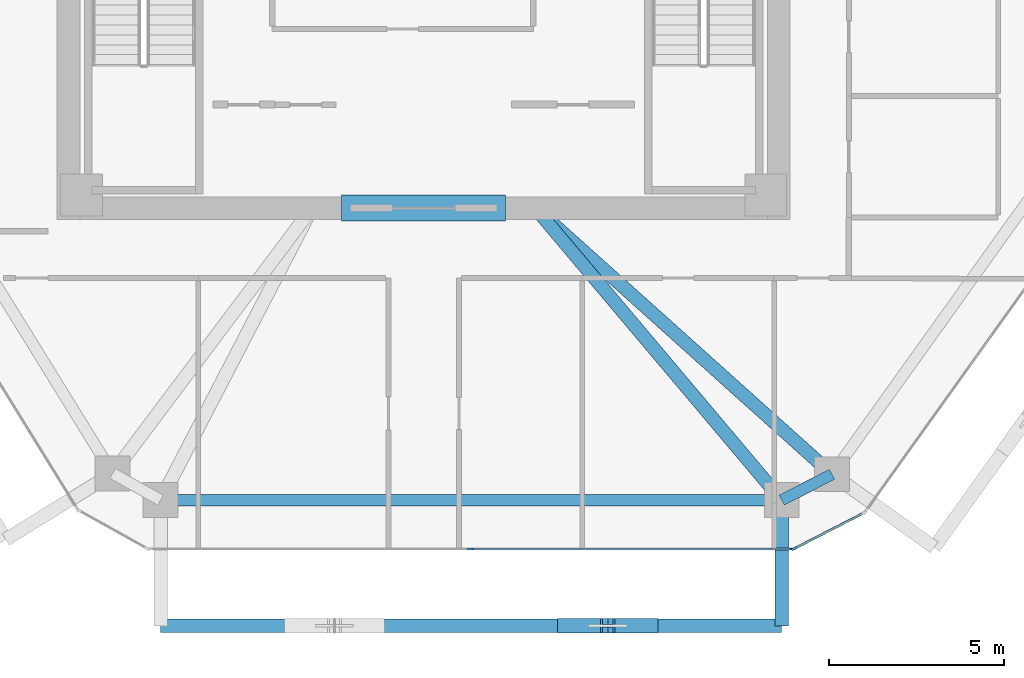
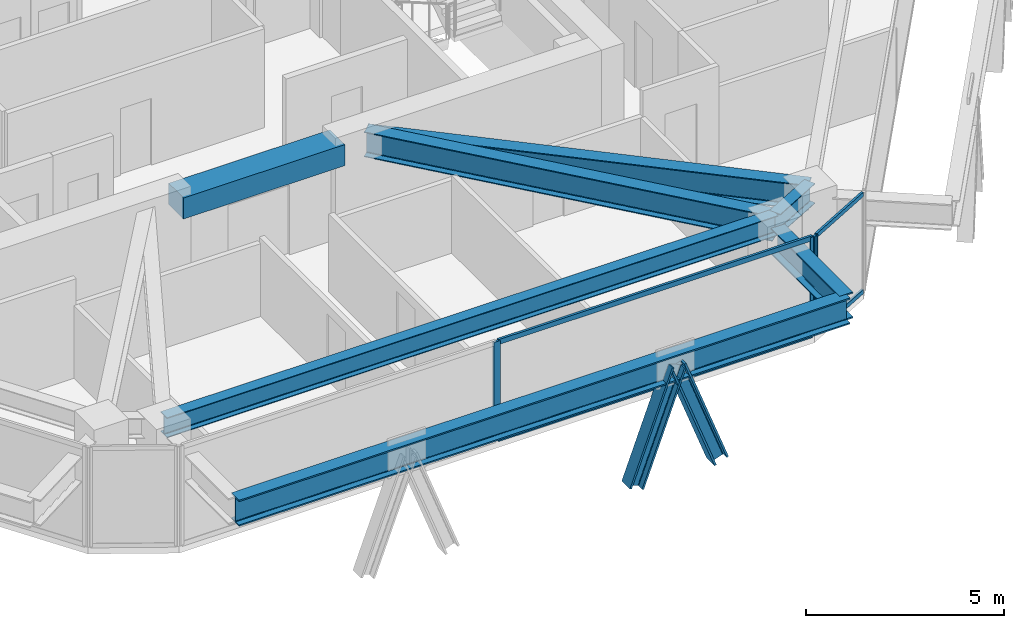
# One storey, part 3 of 14: 9 members, 7 beams, 2 elements without a shape of their own.
"""IFC4 building model written with IfcOpenShell, lengths in metres."""

from ifc_helpers import new_model, si_unit, direction, frame, origin, origin_2d, place, context, subcontext, project, spatial, rectangle, i_section, extrude, source, transform, mapped, material, layer, layer_set, material_profile, profile_set, type_object, type_shapes, element, aggregate, save


model = new_model("IFC4")

# Units and contexts
model_context = context("Model", 3, precision=1e-05, world=origin(), true_north=direction((0.0, 1.0)))
body_context = subcontext(model_context, "Body", "Model", "MODEL_VIEW")
ifc_project = project(units=[si_unit("LENGTHUNIT", "METRE"), si_unit("AREAUNIT", "SQUARE_METRE"), si_unit("VOLUMEUNIT", "CUBIC_METRE"), si_unit("PLANEANGLEUNIT", "RADIAN"), si_unit("MASSUNIT", "GRAM", prefix="KILO")], contexts=[model_context])

# Site, building, storey
site_placement = place(None, origin())
site = spatial("IfcSite", under=ifc_project, at=site_placement, CompositionType="ELEMENT")
building_placement = place(site_placement, origin())
building = spatial("IfcBuilding", under=site, at=building_placement, Name="Durnholm Broadcast Tower", CompositionType="ELEMENT")
storey_placement = place(building_placement, frame((0.0, 0.0, 180.39990234375)))
storey = spatial("IfcBuildingStorey", under=building, at=storey_placement, Name="L49", CompositionType="ELEMENT", Elevation=180.39990234375)

# Beams
ifc_material_1 = material(Name="Concrete C70/85", Category="concrete")
ifc_material_profile_1 = material_profile(ifc_material_1, rectangle(XDim=0.75, YDim=0.64990234375, at=origin_2d()), Name="RC750X650")
ifc_profile_set_1 = profile_set([ifc_material_profile_1], Name="Concrete C70/85")
beam_type_1 = type_object("IfcBeamType", Name="BM-CB-RC650", PredefinedType="LINTEL", material=ifc_profile_set_1)
shared_shape_1 = source(origin(), body_context, "Body", "SweptSolid", [
    extrude(rectangle(XDim=0.75, YDim=0.64990234375, at=origin_2d()), origin(), (0.0, 0.0, 1.0), 4.7001953125),
])
type_shapes(beam_type_1, [shared_shape_1])
beam_1_placement = place(storey_placement, frame((-2.35009765625, -8.175048828125, 2.72998046875), z_axis=(1.0, 0.0, 0.0), x_axis=(0.0, 1.0, 0.0)))
element("IfcBeam", 1, at=beam_1_placement, inside=storey, type_object=beam_type_1, Name="L49 south core coupling lintel beam CB-S", PredefinedType="LINTEL", context=body_context, shape_type="MappedRepresentation", body=[
    mapped(shared_shape_1, transform((0.0, 0.0, 0.0), x_axis=(1.0, 0.0, 0.0), y_axis=(0.0, 1.0, 0.0), z_axis=(0.0, 0.0, 1.0), scale=1.0)),
])
ifc_material_2 = material(Name="Steel ASTM A992 Grade 50", Category="steel")
ifc_material_profile_2 = material_profile(ifc_material_2, i_section(OverallWidth=0.385009765625, OverallDepth=0.802978515625, WebThickness=0.023681640625, FlangeThickness=0.0419921875, FilletRadius=0.032958984375, at=origin_2d()), Name="W30X261")
ifc_profile_set_2 = profile_set([ifc_material_profile_2], Name="Steel ASTM A992 Grade 50")
beam_type_2 = type_object("IfcBeamType", Name="BM-EXO-TIE", PredefinedType="USERDEFINED", material=ifc_profile_set_2)
shared_shape_2 = source(origin(), body_context, "Body", "SweptSolid", [
    extrude(i_section(OverallWidth=0.385009765625, OverallDepth=0.802978515625, WebThickness=0.023681640625, FlangeThickness=0.0419921875, FilletRadius=0.032958984375, at=origin_2d()), origin(), (0.0, 0.0, 1.0), 3.4560546875),
])
beam_2_placement = place(storey_placement, frame((10.256591796875, -16.68603515625, 2.30859375), z_axis=(0.0, -1.0, 0.0), x_axis=(1.0, 0.0, 0.0)))
element("IfcBeam", 2, at=beam_2_placement, inside=storey, type_object=beam_type_2, Name="L49 exoskeleton stand-off tie bracket F1.2", ObjectType="GIRDER", PredefinedType="USERDEFINED", context=body_context, shape_type="MappedRepresentation", body=[
    mapped(shared_shape_2, transform((0.0, 0.0, 0.0), x_axis=(1.0, 0.0, 0.0), y_axis=(0.0, 1.0, 0.0), z_axis=(0.0, 0.0, 1.0), scale=1.0)),
])
ifc_material_profile_3 = material_profile(ifc_material_2, i_section(OverallWidth=0.3251953125, OverallDepth=0.6162109375, WebThickness=0.013916015625, FlangeThickness=0.021484375, FilletRadius=0.02783203125, at=origin_2d()), Name="W24X117")
ifc_profile_set_3 = profile_set([ifc_material_profile_3], Name="Steel ASTM A992 Grade 50")
beam_type_3 = type_object("IfcBeamType", Name="STL-SP-W24X117", PredefinedType="SPANDREL", material=ifc_profile_set_3)
shared_shape_3 = source(origin(), body_context, "Body", "SweptSolid", [
    extrude(i_section(OverallWidth=0.3251953125, OverallDepth=0.6162109375, WebThickness=0.013916015625, FlangeThickness=0.021484375, FilletRadius=0.02783203125, at=origin_2d()), origin(), (0.0, 0.0, 1.0), 1.62255859375),
])
beam_3_placement = place(storey_placement, frame((11.69970703125, -15.80029296875, 2.737060546875), z_axis=(-0.889406668864, -0.45711680934, 0.0), x_axis=(0.45711680934, -0.889406668864, 0.0)))
element("IfcBeam", 3, at=beam_3_placement, inside=storey, type_object=beam_type_3, Name="L49 perimeter spandrel girder 10", PredefinedType="SPANDREL", context=body_context, shape_type="MappedRepresentation", body=[
    mapped(shared_shape_3, transform((0.0, 0.0, 0.0), x_axis=(1.0, 0.0, 0.0), y_axis=(0.0, 1.0, 0.0), z_axis=(0.0, 0.0, 1.0), scale=1.0)),
])
shared_shape_4 = source(origin(), body_context, "Body", "SweptSolid", [
    extrude(i_section(OverallWidth=0.3251953125, OverallDepth=0.6162109375, WebThickness=0.013916015625, FlangeThickness=0.021484375, FilletRadius=0.02783203125, at=origin_2d()), origin(), (0.0, 0.0, 1.0), 17.796142578125),
])
type_shapes(beam_type_3, [shared_shape_3, shared_shape_4])
beam_4_placement = place(storey_placement, frame((10.256591796875, -16.5419921875, 2.737060546875), z_axis=(-1.0, 0.0, 0.0), x_axis=(0.0, -1.0, 0.0)))
element("IfcBeam", 4, at=beam_4_placement, inside=storey, type_object=beam_type_3, Name="L49 perimeter spandrel girder 11", PredefinedType="SPANDREL", context=body_context, shape_type="MappedRepresentation", body=[
    mapped(shared_shape_4, transform((0.0, 0.0, 0.0), x_axis=(1.0, 0.0, 0.0), y_axis=(0.0, 1.0, 0.0), z_axis=(0.0, 0.0, 1.0), scale=1.0)),
])
shared_shape_5 = source(origin(), body_context, "Body", "SweptSolid", [
    extrude(i_section(OverallWidth=0.385009765625, OverallDepth=0.802978515625, WebThickness=0.023681640625, FlangeThickness=0.0419921875, FilletRadius=0.032958984375, at=origin_2d()), origin(), (0.0, 0.0, 1.0), 17.796142578125),
])
type_shapes(beam_type_2, [shared_shape_2, shared_shape_5])
beam_5_placement = place(storey_placement, frame((-7.53955078125, -20.14208984375, 2.30859375), z_axis=(1.0, 0.0, 0.0), x_axis=(0.0, 1.0, 0.0)))
element("IfcBeam", 5, at=beam_5_placement, inside=storey, type_object=beam_type_2, Name="L49 exoskeleton collector spandrel F1", PredefinedType="SPANDREL", context=body_context, shape_type="MappedRepresentation", body=[
    mapped(shared_shape_5, transform((0.0, 0.0, 0.0), x_axis=(1.0, 0.0, 0.0), y_axis=(0.0, 1.0, 0.0), z_axis=(0.0, 0.0, 1.0), scale=1.0)),
])
ifc_material_profile_4 = material_profile(ifc_material_2, i_section(OverallWidth=0.380615234375, OverallDepth=0.773193359375, WebThickness=0.0166015625, FlangeThickness=0.027099609375, FilletRadius=0.032958984375, at=origin_2d()), Name="W30X173")
ifc_profile_set_4 = profile_set([ifc_material_profile_4], Name="Steel ASTM A992 Grade 50")
beam_type_4 = type_object("IfcBeamType", Name="STL-GR-W30X173", PredefinedType="USERDEFINED", material=ifc_profile_set_4)
shared_shape_6 = source(origin(), body_context, "Body", "SweptSolid", [
    extrude(i_section(OverallWidth=0.380615234375, OverallDepth=0.773193359375, WebThickness=0.0166015625, FlangeThickness=0.027099609375, FilletRadius=0.032958984375, at=origin_2d()), origin(), (0.0, 0.0, 1.0), 11.4189453125),
])
beam_6_placement = place(storey_placement, frame((3.199951171875, -8.175048828125, 2.658447265625), z_axis=(0.744361631918, -0.667776729849, 0.0), x_axis=(0.667776729849, 0.744361631918, 0.0)))
element("IfcBeam", 6, at=beam_6_placement, inside=storey, type_object=beam_type_4, Name="L49 radial primary floor girder 10", ObjectType="GIRDER", PredefinedType="USERDEFINED", context=body_context, shape_type="MappedRepresentation", body=[
    mapped(shared_shape_6, transform((0.0, 0.0, 0.0), x_axis=(1.0, 0.0, 0.0), y_axis=(0.0, 1.0, 0.0), z_axis=(0.0, 0.0, 1.0), scale=1.0)),
])
shared_shape_7 = source(origin(), body_context, "Body", "SweptSolid", [
    extrude(i_section(OverallWidth=0.380615234375, OverallDepth=0.773193359375, WebThickness=0.0166015625, FlangeThickness=0.027099609375, FilletRadius=0.032958984375, at=origin_2d()), origin(), (0.0, 0.0, 1.0), 10.9453125),
])
type_shapes(beam_type_4, [shared_shape_6, shared_shape_7])
beam_7_placement = place(storey_placement, frame((3.199951171875, -8.175048828125, 2.658447265625), z_axis=(0.644712536066, -0.764425108065, 0.0), x_axis=(0.764425108065, 0.644712536066, 0.0)))
element("IfcBeam", 7, at=beam_7_placement, inside=storey, type_object=beam_type_4, Name="L49 radial primary floor girder 11", ObjectType="GIRDER", PredefinedType="USERDEFINED", context=body_context, shape_type="MappedRepresentation", body=[
    mapped(shared_shape_7, transform((0.0, 0.0, 0.0), x_axis=(1.0, 0.0, 0.0), y_axis=(0.0, 1.0, 0.0), z_axis=(0.0, 0.0, 1.0), scale=1.0)),
])

# Members
ifc_material_3 = material(Name="Steel ASTM A913 Grade 65", Category="steel")
ifc_material_profile_5 = material_profile(ifc_material_3, i_section(OverallWidth=0.412109375, OverallDepth=0.434814453125, WebThickness=0.035888671875, FlangeThickness=0.057373046875, FilletRadius=0.030517578125, at=origin_2d()), Name="W14X311")
ifc_profile_set_5 = profile_set([ifc_material_profile_5], Name="Steel ASTM A913 Grade 65")
member_type_1 = type_object("IfcMemberType", Name="STL-DG-W14X311", PredefinedType="BRACE", material=ifc_profile_set_5)
shared_shape_8 = source(origin(), body_context, "Body", "SweptSolid", [
    extrude(i_section(OverallWidth=0.412109375, OverallDepth=0.434814453125, WebThickness=0.035888671875, FlangeThickness=0.057373046875, FilletRadius=0.030517578125, at=origin_2d()), origin(), (0.0, 0.0, 1.0), 3.523193359375),
])
type_shapes(member_type_1, [shared_shape_8])
for number, where, z_axis, x_axis, name in (
    (8, (4.039794921875, -20.14208984375, -0.991455078125), (0.350219588454, 0.0, 0.936667625075), (0.0, 1.0, 0.0), "L49 stand-off diagrid brace F1.D2.1"),
    (9, (6.507568359375, -20.14208984375, -0.991455078125), (-0.350219588454, 0.0, 0.936667625075), (0.0, -1.0, 0.0), "L49 stand-off diagrid brace F1.D2.2"),
):
    element("IfcMember", number, at=place(storey_placement, frame(where, z_axis=z_axis, x_axis=x_axis)), inside=storey, type_object=member_type_1, Name=name, PredefinedType="BRACE", context=body_context, shape_type="MappedRepresentation", body=[
        mapped(shared_shape_8, transform((0.0, 0.0, 0.0), x_axis=(1.0, 0.0, 0.0), y_axis=(0.0, 1.0, 0.0), z_axis=(0.0, 0.0, 1.0), scale=1.0)),
    ])

# Curtain wall, members
ifc_material_4 = material(Name="Aluminium and Solar Control IGU", Category="aluminium")
ifc_layer_1 = layer(ifc_material_4, 0.1650390625)
ifc_layer_set_1 = layer_set([ifc_layer_1], Name="Aluminium and Solar Control IGU")
curtain_wall_type_1 = type_object("IfcCurtainWallType", Name="CW-SYS-5", PredefinedType="NOTDEFINED", material=ifc_layer_set_1)
curtain_wall_1_placement = place(storey_placement, origin())
curtain_wall_1 = element("IfcCurtainWall", 10, at=curtain_wall_1_placement, inside=storey, type_object=curtain_wall_type_1, Name="L49 curtain wall CW-CORNER CW-L49-CRN-09", PredefinedType="NOTDEFINED")
ifc_material_5 = material(Name="Aluminium 6063-T6", Category="aluminium")
ifc_material_profile_6 = material_profile(ifc_material_5, rectangle(XDim=0.06494140625, YDim=0.1650390625, at=origin_2d()), Name="CWM65X165")
ifc_profile_set_6 = profile_set([ifc_material_profile_6], Name="Aluminium 6063-T6")
member_type_2 = type_object("IfcMemberType", Name="CW-SYS-5-MUL", PredefinedType="MULLION", material=ifc_profile_set_6)
shared_shape_9 = source(origin(), body_context, "Body", "SweptSolid", [
    extrude(rectangle(XDim=0.06494140625, YDim=0.1650390625, at=origin_2d()), origin(), (0.0, 0.0, 1.0), 3.06005859375),
])
type_shapes(member_type_2, [shared_shape_9])
member_1_placement = place(storey_placement, frame((10.624267578125, -17.92724609375, 0.0), z_axis=(0.0, 0.0, 1.0), x_axis=(0.457081764476, -0.889424679545, 0.0)))
member_1 = element("IfcMember", 11, at=member_1_placement, type_object=member_type_2, Name="CW-CORNER mullion 2", PredefinedType="MULLION", context=body_context, shape_type="MappedRepresentation", body=[
    mapped(shared_shape_9, transform((0.0, 0.0, 0.0), x_axis=(1.0, 0.0, 0.0), y_axis=(0.0, 1.0, 0.0), z_axis=(0.0, 0.0, 1.0), scale=1.0)),
])
ifc_material_profile_7 = material_profile(ifc_material_5, rectangle(XDim=0.06494140625, YDim=0.1298828125, at=origin_2d()), Name="CWT65X130")
ifc_profile_set_7 = profile_set([ifc_material_profile_7], Name="Aluminium 6063-T6")
member_type_3 = type_object("IfcMemberType", Name="CW-SYS-5-TRN", PredefinedType="USERDEFINED", material=ifc_profile_set_7)
shared_shape_10 = source(origin(), body_context, "Body", "SweptSolid", [
    extrude(rectangle(XDim=0.06494140625, YDim=0.1298828125, at=origin_2d()), origin(), (0.0, 0.0, 1.0), 2.170166015625),
])
type_shapes(member_type_3, [shared_shape_10])
member_2_placement = place(storey_placement, frame((12.583251953125, -16.92041015625, 0.03271484375), z_axis=(-0.889422414772, -0.457086171417, 0.0), x_axis=(0.457086171417, -0.889422414772, 0.0)))
member_2 = element("IfcMember", 12, at=member_2_placement, type_object=member_type_3, Name="CW-CORNER transom 1.1", ObjectType="TRANSOM", PredefinedType="USERDEFINED", context=body_context, shape_type="MappedRepresentation", body=[
    mapped(shared_shape_10, transform((0.0, 0.0, 0.0), x_axis=(1.0, 0.0, 0.0), y_axis=(0.0, 1.0, 0.0), z_axis=(0.0, 0.0, 1.0), scale=1.0)),
])
member_3_placement = place(storey_placement, frame((12.583251953125, -16.92041015625, 3.027587890625), z_axis=(-0.889422414772, -0.457086171417, 0.0), x_axis=(0.457086171417, -0.889422414772, 0.0)))
member_3 = element("IfcMember", 13, at=member_3_placement, type_object=member_type_3, Name="CW-CORNER transom 1.2", ObjectType="TRANSOM", PredefinedType="USERDEFINED", context=body_context, shape_type="MappedRepresentation", body=[
    mapped(shared_shape_10, transform((0.0, 0.0, 0.0), x_axis=(1.0, 0.0, 0.0), y_axis=(0.0, 1.0, 0.0), z_axis=(0.0, 0.0, 1.0), scale=1.0)),
])
aggregate(curtain_wall_1, [member_1, member_2, member_3])

ifc_layer_2 = layer(ifc_material_4, 0.18994140625)
ifc_layer_set_2 = layer_set([ifc_layer_2], Name="Aluminium and Solar Control IGU")
curtain_wall_type_2 = type_object("IfcCurtainWallType", Name="CW-SYS-4", PredefinedType="NOTDEFINED", material=ifc_layer_set_2)
curtain_wall_2_placement = place(storey_placement, origin())
curtain_wall_2 = element("IfcCurtainWall", 14, at=curtain_wall_2_placement, inside=storey, type_object=curtain_wall_type_2, Name="L49 curtain wall CW-Z34-VIS CW-L49-F10", PredefinedType="NOTDEFINED")
ifc_material_profile_8 = material_profile(ifc_material_5, rectangle(XDim=0.070068359375, YDim=0.14990234375, at=origin_2d()), Name="CWT70X150")
ifc_profile_set_8 = profile_set([ifc_material_profile_8], Name="Aluminium 6063-T6")
member_type_4 = type_object("IfcMemberType", Name="CW-SYS-4-TRN", PredefinedType="USERDEFINED", material=ifc_profile_set_8)
shared_shape_11 = source(origin(), body_context, "Body", "SweptSolid", [
    extrude(rectangle(XDim=0.070068359375, YDim=0.14990234375, at=origin_2d()), origin(), (0.0, 0.0, 1.0), 9.14453125),
])
type_shapes(member_type_4, [shared_shape_11])
member_4_placement = place(storey_placement, frame((10.525390625, -17.94189453125, 0.03515625), z_axis=(-1.0, 0.0, 0.0), x_axis=(0.0, -1.0, 0.0)))
member_4 = element("IfcMember", 15, at=member_4_placement, type_object=member_type_4, Name="CW-Z34-VIS transom 1.1", ObjectType="TRANSOM", PredefinedType="USERDEFINED", context=body_context, shape_type="MappedRepresentation", body=[
    mapped(shared_shape_11, transform((0.0, 0.0, 0.0), x_axis=(1.0, 0.0, 0.0), y_axis=(0.0, 1.0, 0.0), z_axis=(0.0, 0.0, 1.0), scale=1.0)),
])
member_5_placement = place(storey_placement, frame((10.525390625, -17.94189453125, 3.025146484375), z_axis=(-1.0, 0.0, 0.0), x_axis=(0.0, -1.0, 0.0)))
member_5 = element("IfcMember", 16, at=member_5_placement, type_object=member_type_4, Name="CW-Z34-VIS transom 1.2", ObjectType="TRANSOM", PredefinedType="USERDEFINED", context=body_context, shape_type="MappedRepresentation", body=[
    mapped(shared_shape_11, transform((0.0, 0.0, 0.0), x_axis=(1.0, 0.0, 0.0), y_axis=(0.0, 1.0, 0.0), z_axis=(0.0, 0.0, 1.0), scale=1.0)),
])
ifc_material_profile_9 = material_profile(ifc_material_5, rectangle(XDim=0.070068359375, YDim=0.18994140625, at=origin_2d()), Name="CWM70X190")
ifc_profile_set_9 = profile_set([ifc_material_profile_9], Name="Aluminium 6063-T6")
member_type_5 = type_object("IfcMemberType", Name="CW-SYS-4-MUL", PredefinedType="MULLION", material=ifc_profile_set_9)
shared_shape_12 = source(origin(), body_context, "Body", "SweptSolid", [
    extrude(rectangle(XDim=0.070068359375, YDim=0.18994140625, at=origin_2d()), origin(), (0.0, 0.0, 1.0), 3.06005859375),
])
type_shapes(member_type_5, [shared_shape_12])
member_6_placement = place(storey_placement, frame((10.560302734375, -17.94189453125, 0.0), z_axis=(0.0, 0.0, 1.0), x_axis=(0.0, -1.0, 0.0)))
member_6 = element("IfcMember", 17, at=member_6_placement, type_object=member_type_5, Name="CW-Z34-VIS mullion 1", PredefinedType="MULLION", context=body_context, shape_type="MappedRepresentation", body=[
    mapped(shared_shape_12, transform((0.0, 0.0, 0.0), x_axis=(1.0, 0.0, 0.0), y_axis=(0.0, 1.0, 0.0), z_axis=(0.0, 0.0, 1.0), scale=1.0)),
])
member_7_placement = place(storey_placement, frame((1.345947265625, -17.94189453125, 0.0), z_axis=(0.0, 0.0, 1.0), x_axis=(0.0, -1.0, 0.0)))
member_7 = element("IfcMember", 18, at=member_7_placement, type_object=member_type_5, Name="CW-Z34-VIS mullion 2", PredefinedType="MULLION", context=body_context, shape_type="MappedRepresentation", body=[
    mapped(shared_shape_12, transform((0.0, 0.0, 0.0), x_axis=(1.0, 0.0, 0.0), y_axis=(0.0, 1.0, 0.0), z_axis=(0.0, 0.0, 1.0), scale=1.0)),
])
aggregate(curtain_wall_2, [member_6, member_7, member_4, member_5])

save(model, "model.ifc")
